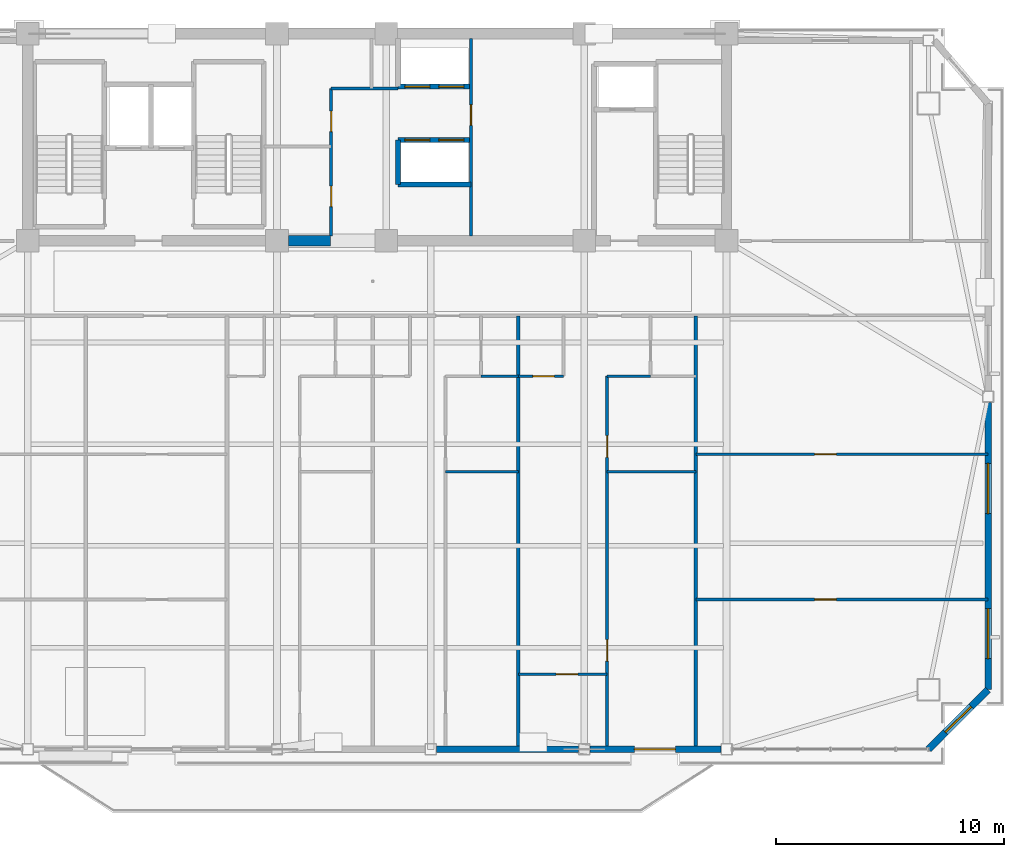
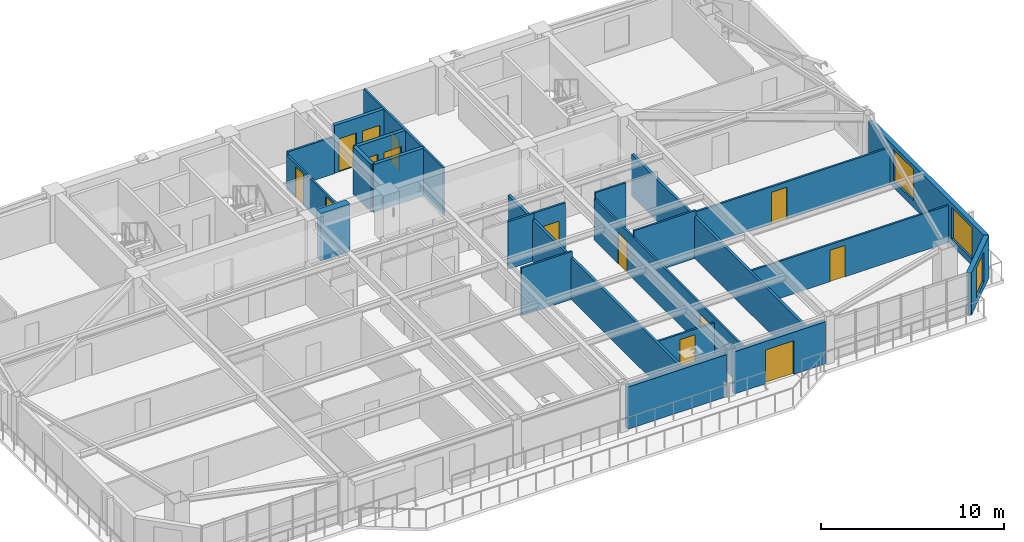
# One storey, part 10 of 17: 23 walls, 14 doors, 3 windows, 17 openings.
"""IFC4 building model written with IfcOpenShell, lengths in metres."""

from ifc_helpers import new_model, si_unit, direction, frame, frame_2d, origin, place, context, subcontext, project, spatial, rectangle, extrude, source, transform, mapped, material, layer, layer_set, type_object, element, fill, save


model = new_model("IFC4")

# Units and contexts
model_context = context("Model", 3, precision=1e-05, world=origin(), true_north=direction((0.0, 1.0)))
body_context = subcontext(model_context, "Body", "Model", "MODEL_VIEW")
ifc_project = project(units=[si_unit("LENGTHUNIT", "METRE"), si_unit("AREAUNIT", "SQUARE_METRE"), si_unit("VOLUMEUNIT", "CUBIC_METRE"), si_unit("PLANEANGLEUNIT", "RADIAN"), si_unit("MASSUNIT", "GRAM", prefix="KILO")], contexts=[model_context])

# Site, building, storey
site_placement = place(None, origin())
site = spatial("IfcSite", under=ifc_project, at=site_placement, CompositionType="ELEMENT")
building_placement = place(site_placement, origin())
building = spatial("IfcBuilding", under=site, at=building_placement, Name="Giltprow Tower", CompositionType="ELEMENT")
storey_placement = place(building_placement, frame((0.0, 0.0, 248.5)))
storey = spatial("IfcBuildingStorey", under=building, at=storey_placement, Name="L63", CompositionType="ELEMENT", Elevation=248.5)

# Wall, opening, window
ifc_material_1 = material(Name="Precast concrete C40", Category="concrete")
ifc_layer_1 = layer(ifc_material_1, 0.300048828125, Name="Precast concrete C40")
ifc_layer_set_1 = layer_set([ifc_layer_1], Name="Precast concrete C40")
wall_type_1 = type_object("IfcWallType", Name="EW-NOTCH-CHAMFER-300", PredefinedType="SOLIDWALL", material=ifc_layer_set_1)
wall_1_placement = place(storey_placement, frame((59.422119140625, 15.113037109375, 0.0), z_axis=(0.0, 0.0, 1.0), x_axis=(0.707106781187, 0.707106781187, 0.0)))
wall_1 = element("IfcWall", 1, at=wall_1_placement, inside=storey, type_object=wall_type_1, Name="L63 Corner Notch Wall SE", PredefinedType="SOLIDWALL", context=body_context, shape_type="SweptSolid", body=[
    extrude(rectangle(XDim=3.6982421875, YDim=0.300048828125, at=frame_2d((1.84912109375, 0.0))), origin(), (0.0, 0.0, 1.0), 2.81494140625),
])
opening_1_placement = place(wall_1_placement, frame((1.049072265625, 0.0, 0.449951171875)))
opening_1 = element("IfcOpeningElement", 2, at=opening_1_placement, cuts=wall_1, Name="Opening WN17", PredefinedType="OPENING", context=body_context, shape_type="SweptSolid", body=[
    extrude(rectangle(XDim=1.60009765625, YDim=2.0, at=frame_2d((0.800048828125, 1.0))), frame((0.0, 0.159912109375, 0.0), z_axis=(0.0, -1.0, 0.0), x_axis=(1.0, 0.0, 0.0)), (0.0, 0.0, 1.0), 0.320068359375),
])
ifc_material_2 = material(Name="Insulated glass", Category="glass")
window_type_1 = type_object("IfcWindowType", Name="WN-COR-1600x2000", PartitioningType="SINGLE_PANEL", PredefinedType="WINDOW", material=ifc_material_2)
shared_shape_1 = source(origin(), body_context, "Body", "SweptSolid", [
    extrude(rectangle(XDim=1.60009765625, YDim=2.0, at=frame_2d((0.800048828125, 1.0))), frame((0.0, 0.030029296875, 0.0), z_axis=(0.0, -1.0, 0.0), x_axis=(1.0, 0.0, 0.0)), (0.0, 0.0, 1.0), 0.06005859375),
])
window_1_placement = place(opening_1_placement, origin())
window_1 = element("IfcWindow", 3, at=window_1_placement, inside=storey, type_object=window_type_1, Name="L63 Corner Notch Window SE", OverallHeight=2.0, OverallWidth=1.60009765625, PartitioningType="SINGLE_PANEL", PredefinedType="WINDOW", context=body_context, shape_type="MappedRepresentation", body=[
    mapped(shared_shape_1, transform((0.0, 0.0, 0.0), x_axis=(1.0, 0.0, 0.0), y_axis=(0.0, 1.0, 0.0), z_axis=(0.0, 0.0, 1.0), scale=1.0)),
])
fill(opening_1, window_1)

# Wall
ifc_layer_2 = layer(ifc_material_1, 0.280029296875, Name="Precast concrete C40")
ifc_layer_set_2 = layer_set([ifc_layer_2], Name="Precast concrete C40")
wall_type_2 = type_object("IfcWallType", Name="EW-TOW-BRONZE-280", PredefinedType="SOLIDWALL", material=ifc_layer_set_2)
wall_2_placement = place(storey_placement, frame((37.800048828125, 15.113037109375, 0.0), z_axis=(0.0, 0.0, 1.0), x_axis=(1.0, 0.0, 0.0)))
element("IfcWall", 4, at=wall_2_placement, inside=storey, type_object=wall_type_2, Name="L63 South Expressed Frame Wall 4", PredefinedType="SOLIDWALL", context=body_context, shape_type="SweptSolid", body=[
    extrude(rectangle(XDim=6.25, YDim=0.280029296875, at=frame_2d((3.125, 0.0))), origin(), (0.0, 0.0, 1.0), 2.81494140625),
])

# Wall, opening, door
wall_3_placement = place(storey_placement, frame((44.550048828125, 15.113037109375, 0.0), z_axis=(0.0, 0.0, 1.0), x_axis=(1.0, 0.0, 0.0)))
wall_3 = element("IfcWall", 5, at=wall_3_placement, inside=storey, type_object=wall_type_2, Name="L63 South Expressed Frame Wall 5", PredefinedType="SOLIDWALL", context=body_context, shape_type="SweptSolid", body=[
    extrude(rectangle(XDim=5.75, YDim=0.280029296875, at=frame_2d((2.875, 0.0))), origin(), (0.0, 0.0, 1.0), 2.81494140625),
])
opening_2_placement = place(wall_3_placement, frame((1.949951171875, 0.0, 0.0)))
opening_2 = element("IfcOpeningElement", 6, at=opening_2_placement, cuts=wall_3, Name="Opening ED25", PredefinedType="OPENING", context=body_context, shape_type="SweptSolid", body=[
    extrude(rectangle(XDim=1.800048828125, YDim=2.25, at=frame_2d((0.89990234375, 1.125))), frame((0.0, 0.14990234375, 0.0), z_axis=(0.0, -1.0, 0.0), x_axis=(1.0, 0.0, 0.0)), (0.0, 0.0, 1.0), 0.300048828125),
])
ifc_material_3 = material(Name="Anodized bronze and glass", Category="glass")
door_type_1 = type_object("IfcDoorType", Name="DR-BALC-SLIDE-1800", OperationType="SLIDING_TO_LEFT", PredefinedType="DOOR", material=ifc_material_3)
shared_shape_2 = source(origin(), body_context, "Body", "SweptSolid", [
    extrude(rectangle(XDim=1.800048828125, YDim=2.25, at=frame_2d((0.89990234375, 1.125))), frame((0.0, 0.02490234375, 0.0), z_axis=(0.0, -1.0, 0.0), x_axis=(1.0, 0.0, 0.0)), (0.0, 0.0, 1.0), 0.050048828125),
])
door_1_placement = place(opening_2_placement, origin())
door_1 = element("IfcDoor", 7, at=door_1_placement, inside=storey, type_object=door_type_1, Name="L63 Waterfront Balcony Sliding Door 2", OperationType="SLIDING_TO_LEFT", OverallHeight=2.25, OverallWidth=1.800048828125, PredefinedType="DOOR", context=body_context, shape_type="MappedRepresentation", body=[
    mapped(shared_shape_2, transform((0.0, 0.0, 0.0), x_axis=(1.0, 0.0, 0.0), y_axis=(0.0, 1.0, 0.0), z_axis=(0.0, 0.0, 1.0), scale=1.0)),
])
fill(opening_2, door_1)

# Wall, openings, windows
wall_4_placement = place(storey_placement, frame((62.037109375, 17.72802734375, 0.0), z_axis=(0.0, 0.0, 1.0), x_axis=(0.0, 1.0, 0.0)))
wall_4 = element("IfcWall", 8, at=wall_4_placement, inside=storey, type_object=wall_type_2, Name="L63 E Wing Masonry Wall 1", PredefinedType="SOLIDWALL", context=body_context, shape_type="SweptSolid", body=[
    extrude(rectangle(XDim=12.62890625, YDim=0.280029296875, at=frame_2d((6.314453125, 0.0))), origin(), (0.0, 0.0, 1.0), 2.81494140625),
])
opening_3_placement = place(wall_4_placement, frame((1.362060546875, 0.0, 0.449951171875)))
opening_3 = element("IfcOpeningElement", 9, at=opening_3_placement, cuts=wall_4, Name="Opening WN27", PredefinedType="OPENING", context=body_context, shape_type="SweptSolid", body=[
    extrude(rectangle(XDim=2.199951171875, YDim=2.10009765625, at=frame_2d((1.10009765625, 1.050048828125))), frame((0.0, 0.14990234375, 0.0), z_axis=(0.0, -1.0, 0.0), x_axis=(1.0, 0.0, 0.0)), (0.0, 0.0, 1.0), 0.300048828125),
])
opening_4_placement = place(wall_4_placement, frame((7.739990234375, 0.0, 0.449951171875)))
opening_4 = element("IfcOpeningElement", 10, at=opening_4_placement, cuts=wall_4, Name="Opening WN27", PredefinedType="OPENING", context=body_context, shape_type="SweptSolid", body=[
    extrude(rectangle(XDim=2.199951171875, YDim=2.10009765625, at=frame_2d((1.10009765625, 1.050048828125))), frame((0.0, 0.14990234375, 0.0), z_axis=(0.0, -1.0, 0.0), x_axis=(1.0, 0.0, 0.0)), (0.0, 0.0, 1.0), 0.300048828125),
])
window_type_2 = type_object("IfcWindowType", Name="WN-RES-2200x2100", PartitioningType="TRIPLE_PANEL_VERTICAL", PredefinedType="WINDOW", material=ifc_material_2)
shared_shape_3 = source(origin(), body_context, "Body", "SweptSolid", [
    extrude(rectangle(XDim=2.199951171875, YDim=2.10009765625, at=frame_2d((1.10009765625, 1.050048828125))), frame((0.0, 0.030029296875, 0.0), z_axis=(0.0, -1.0, 0.0), x_axis=(1.0, 0.0, 0.0)), (0.0, 0.0, 1.0), 0.06005859375),
])
window_2_placement = place(opening_3_placement, origin())
window_2 = element("IfcWindow", 11, at=window_2_placement, inside=storey, type_object=window_type_2, Name="L63 E Wing Window 1-1A", OverallHeight=2.10009765625, OverallWidth=2.199951171875, PartitioningType="SINGLE_PANEL", PredefinedType="WINDOW", context=body_context, shape_type="MappedRepresentation", body=[
    mapped(shared_shape_3, transform((0.0, 0.0, 0.0), x_axis=(1.0, 0.0, 0.0), y_axis=(0.0, 1.0, 0.0), z_axis=(0.0, 0.0, 1.0), scale=1.0)),
])
fill(opening_3, window_2)
window_3_placement = place(opening_4_placement, origin())
window_3 = element("IfcWindow", 12, at=window_3_placement, inside=storey, type_object=window_type_2, Name="L63 E Wing Window 1-1B", OverallHeight=2.10009765625, OverallWidth=2.199951171875, PartitioningType="SINGLE_PANEL", PredefinedType="WINDOW", context=body_context, shape_type="MappedRepresentation", body=[
    mapped(shared_shape_3, transform((0.0, 0.0, 0.0), x_axis=(1.0, 0.0, 0.0), y_axis=(0.0, 1.0, 0.0), z_axis=(0.0, 0.0, 1.0), scale=1.0)),
])
fill(opening_4, window_3)

# Walls
ifc_material_4 = material(Name="Gypsum stud partition", Category="gypsum")
ifc_layer_3 = layer(ifc_material_4, 0.159912109375, Name="Gypsum stud partition")
ifc_layer_set_3 = layer_set([ifc_layer_3], Name="Gypsum stud partition")
wall_type_3 = type_object("IfcWallType", Name="IW-DEMISE-160", PredefinedType="PARTITIONING", material=ifc_layer_set_3)
for number, where, z_axis, x_axis, name in (
    (13, (41.39990234375, 15.113037109375, 0.0), (0.0, 0.0, 1.0), (0.0, 1.0, 0.0), "L63 Apartment Party Wall 4"),
    (14, (49.199951171875, 15.113037109375, 0.0), (0.0, 0.0, 1.0), (0.0, 1.0, 0.0), "L63 Apartment Party Wall 5"),
):
    element("IfcWall", number, at=place(storey_placement, frame(where, z_axis=z_axis, x_axis=x_axis)), inside=storey, type_object=wall_type_3, Name=name, PredefinedType="PARTITIONING", context=body_context, shape_type="SweptSolid", body=[
        extrude(rectangle(XDim=19.036865234375, YDim=0.159912109375, at=frame_2d((9.5185546875, 0.0))), origin(), (0.0, 0.0, 1.0), 2.77001953125),
    ])
ifc_layer_4 = layer(ifc_material_4, 0.1201171875, Name="Gypsum stud partition")
ifc_layer_set_4 = layer_set([ifc_layer_4], Name="Gypsum stud partition")
wall_type_4 = type_object("IfcWallType", Name="IW-ROOM-120", PredefinedType="PARTITIONING", material=ifc_layer_set_4)
wall_5_placement = place(storey_placement, frame((38.199951171875, 27.300048828125, 0.0), z_axis=(0.0, 0.0, 1.0), x_axis=(1.0, 0.0, 0.0)))
element("IfcWall", 15, at=wall_5_placement, inside=storey, type_object=wall_type_4, Name="L63 Unit 2 Second Bedroom Wall", PredefinedType="PARTITIONING", context=body_context, shape_type="SweptSolid", body=[
    extrude(rectangle(XDim=3.199951171875, YDim=0.1201171875, at=frame_2d((1.60009765625, 0.0))), origin(), (0.0, 0.0, 1.0), 3.18505859375),
])
wall_6_placement = place(storey_placement, frame((45.300048828125, 31.5, 0.0), z_axis=(0.0, 0.0, 1.0), x_axis=(1.0, 0.0, 0.0)))
element("IfcWall", 16, at=wall_6_placement, inside=storey, type_object=wall_type_4, Name="L63 Unit 3 Bedroom North Wall", PredefinedType="PARTITIONING", context=body_context, shape_type="SweptSolid", body=[
    extrude(rectangle(XDim=1.909912109375, YDim=0.1201171875, at=frame_2d((0.955078125, 0.0))), origin(), (0.0, 0.0, 1.0), 3.18505859375),
])

# Wall, openings, doors
wall_7_placement = place(storey_placement, frame((45.300048828125, 15.113037109375, 0.0), z_axis=(0.0, 0.0, 1.0), x_axis=(0.0, 1.0, 0.0)))
wall_7 = element("IfcWall", 17, at=wall_7_placement, inside=storey, type_object=wall_type_4, Name="L63 Unit 3 Bedroom Wall", PredefinedType="PARTITIONING", context=body_context, shape_type="SweptSolid", body=[
    extrude(rectangle(XDim=16.386962890625, YDim=0.1201171875, at=frame_2d((8.193359375, 0.0))), origin(), (0.0, 0.0, 1.0), 2.77001953125),
])
opening_5_placement = place(wall_7_placement, frame((3.8701171875, 0.0, 0.0)))
opening_5 = element("IfcOpeningElement", 18, at=opening_5_placement, cuts=wall_7, Name="Opening ID11", PredefinedType="OPENING", context=body_context, shape_type="SweptSolid", body=[
    extrude(rectangle(XDim=0.949951171875, YDim=2.10009765625, at=frame_2d((0.47509765625, 1.050048828125))), frame((0.0, 0.070068359375, 0.0), z_axis=(0.0, -1.0, 0.0), x_axis=(1.0, 0.0, 0.0)), (0.0, 0.0, 1.0), 0.14013671875),
])
opening_6_placement = place(wall_7_placement, frame((12.826904296875, 0.0, 0.0)))
opening_6 = element("IfcOpeningElement", 19, at=opening_6_placement, cuts=wall_7, Name="Opening ID11", PredefinedType="OPENING", context=body_context, shape_type="SweptSolid", body=[
    extrude(rectangle(XDim=0.949951171875, YDim=2.10009765625, at=frame_2d((0.47509765625, 1.050048828125))), frame((0.0, 0.070068359375, 0.0), z_axis=(0.0, -1.0, 0.0), x_axis=(1.0, 0.0, 0.0)), (0.0, 0.0, 1.0), 0.14013671875),
])
ifc_material_5 = material(Name="Engineered timber", Category="wood")
door_type_2 = type_object("IfcDoorType", Name="DR-ROOM-950", OperationType="SINGLE_SWING_RIGHT", PredefinedType="DOOR", material=ifc_material_5)
shared_shape_4 = source(origin(), body_context, "Body", "SweptSolid", [
    extrude(rectangle(XDim=0.949951171875, YDim=2.10009765625, at=frame_2d((0.47509765625, 1.050048828125))), frame((0.0, 0.02490234375, 0.0), z_axis=(0.0, -1.0, 0.0), x_axis=(1.0, 0.0, 0.0)), (0.0, 0.0, 1.0), 0.050048828125),
])
door_2_placement = place(opening_5_placement, origin())
door_2 = element("IfcDoor", 20, at=door_2_placement, inside=storey, type_object=door_type_2, Name="L63 Unit 3 Primary Bedroom Door", OperationType="SINGLE_SWING_LEFT", OverallHeight=2.10009765625, OverallWidth=0.949951171875, PredefinedType="DOOR", context=body_context, shape_type="MappedRepresentation", body=[
    mapped(shared_shape_4, transform((0.0, 0.0, 0.0), x_axis=(1.0, 0.0, 0.0), y_axis=(0.0, 1.0, 0.0), z_axis=(0.0, 0.0, 1.0), scale=1.0)),
])
fill(opening_5, door_2)
door_3_placement = place(opening_6_placement, origin())
door_3 = element("IfcDoor", 21, at=door_3_placement, inside=storey, type_object=door_type_2, Name="L63 Unit 3 Second Bedroom Door", OperationType="SINGLE_SWING_RIGHT", OverallHeight=2.10009765625, OverallWidth=0.949951171875, PredefinedType="DOOR", context=body_context, shape_type="MappedRepresentation", body=[
    mapped(shared_shape_4, transform((0.0, 0.0, 0.0), x_axis=(1.0, 0.0, 0.0), y_axis=(0.0, 1.0, 0.0), z_axis=(0.0, 0.0, 1.0), scale=1.0)),
])
fill(opening_6, door_3)

# Wall, opening, door
wall_8_placement = place(storey_placement, frame((41.39990234375, 18.4130859375, 0.0), z_axis=(0.0, 0.0, 1.0), x_axis=(1.0, 0.0, 0.0)))
wall_8 = element("IfcWall", 22, at=wall_8_placement, inside=storey, type_object=wall_type_4, Name="L63 Unit 3 Salon Divider", PredefinedType="PARTITIONING", context=body_context, shape_type="SweptSolid", body=[
    extrude(rectangle(XDim=3.900146484375, YDim=0.1201171875, at=frame_2d((1.9501953125, 0.0))), origin(), (0.0, 0.0, 1.0), 2.469970703125),
])
opening_7_placement = place(wall_8_placement, frame((1.6650390625, 0.0, 0.0)))
opening_7 = element("IfcOpeningElement", 23, at=opening_7_placement, cuts=wall_8, Name="Opening ID11", PredefinedType="OPENING", context=body_context, shape_type="SweptSolid", body=[
    extrude(rectangle(XDim=0.949951171875, YDim=2.10009765625, at=frame_2d((0.47509765625, 1.050048828125))), frame((0.0, 0.070068359375, 0.0), z_axis=(0.0, -1.0, 0.0), x_axis=(1.0, 0.0, 0.0)), (0.0, 0.0, 1.0), 0.14013671875),
])
door_4_placement = place(opening_7_placement, origin())
door_4 = element("IfcDoor", 24, at=door_4_placement, inside=storey, type_object=door_type_2, Name="L63 Unit 3 Study Door", OperationType="SINGLE_SWING_RIGHT", OverallHeight=2.10009765625, OverallWidth=0.949951171875, PredefinedType="DOOR", context=body_context, shape_type="MappedRepresentation", body=[
    mapped(shared_shape_4, transform((0.0, 0.0, 0.0), x_axis=(1.0, 0.0, 0.0), y_axis=(0.0, 1.0, 0.0), z_axis=(0.0, 0.0, 1.0), scale=1.0)),
])
fill(opening_7, door_4)

# Wall
wall_9_placement = place(storey_placement, frame((45.300048828125, 27.300048828125, 0.0), z_axis=(0.0, 0.0, 1.0), x_axis=(1.0, 0.0, 0.0)))
element("IfcWall", 25, at=wall_9_placement, inside=storey, type_object=wall_type_4, Name="L63 Unit 3 Second Bedroom Wall", PredefinedType="PARTITIONING", context=body_context, shape_type="SweptSolid", body=[
    extrude(rectangle(XDim=3.89990234375, YDim=0.1201171875, at=frame_2d((1.949951171875, 0.0))), origin(), (0.0, 0.0, 1.0), 3.18505859375),
])

# Wall, opening, door
wall_10_placement = place(storey_placement, frame((49.199951171875, 21.68994140625, 0.0), z_axis=(0.0, 0.0, 1.0), x_axis=(1.0, 0.0, 0.0)))
wall_10 = element("IfcWall", 26, at=wall_10_placement, inside=storey, type_object=wall_type_4, Name="L63 Special Split 1", PredefinedType="PARTITIONING", context=body_context, shape_type="SweptSolid", body=[
    extrude(rectangle(XDim=12.837158203125, YDim=0.1201171875, at=frame_2d((6.41845703125, 0.0))), origin(), (0.0, 0.0, 1.0), 2.469970703125),
])
opening_8_placement = place(wall_10_placement, frame((5.220947265625, 0.0, 0.0)))
opening_8 = element("IfcOpeningElement", 27, at=opening_8_placement, cuts=wall_10, Name="Opening ID11", PredefinedType="OPENING", context=body_context, shape_type="SweptSolid", body=[
    extrude(rectangle(XDim=0.949951171875, YDim=2.10009765625, at=frame_2d((0.47509765625, 1.050048828125))), frame((0.0, 0.070068359375, 0.0), z_axis=(0.0, -1.0, 0.0), x_axis=(1.0, 0.0, 0.0)), (0.0, 0.0, 1.0), 0.14013671875),
])
door_5_placement = place(opening_8_placement, origin())
door_5 = element("IfcDoor", 28, at=door_5_placement, inside=storey, type_object=door_type_2, Name="L63 Portfolio Office 3 South Door", OperationType="SINGLE_SWING_LEFT", OverallHeight=2.10009765625, OverallWidth=0.949951171875, PredefinedType="DOOR", context=body_context, shape_type="MappedRepresentation", body=[
    mapped(shared_shape_4, transform((0.0, 0.0, 0.0), x_axis=(1.0, 0.0, 0.0), y_axis=(0.0, 1.0, 0.0), z_axis=(0.0, 0.0, 1.0), scale=1.0)),
])
fill(opening_8, door_5)

wall_11_placement = place(storey_placement, frame((49.199951171875, 28.068115234375, 0.0), z_axis=(0.0, 0.0, 1.0), x_axis=(1.0, 0.0, 0.0)))
wall_11 = element("IfcWall", 29, at=wall_11_placement, inside=storey, type_object=wall_type_4, Name="L63 Special Split 2", PredefinedType="PARTITIONING", context=body_context, shape_type="SweptSolid", body=[
    extrude(rectangle(XDim=12.837158203125, YDim=0.1201171875, at=frame_2d((6.41845703125, 0.0))), origin(), (0.0, 0.0, 1.0), 2.469970703125),
])
opening_9_placement = place(wall_11_placement, frame((5.220947265625, 0.0, 0.0)))
opening_9 = element("IfcOpeningElement", 30, at=opening_9_placement, cuts=wall_11, Name="Opening ID11", PredefinedType="OPENING", context=body_context, shape_type="SweptSolid", body=[
    extrude(rectangle(XDim=0.949951171875, YDim=2.10009765625, at=frame_2d((0.47509765625, 1.050048828125))), frame((0.0, 0.070068359375, 0.0), z_axis=(0.0, -1.0, 0.0), x_axis=(1.0, 0.0, 0.0)), (0.0, 0.0, 1.0), 0.14013671875),
])
door_6_placement = place(opening_9_placement, origin())
door_6 = element("IfcDoor", 31, at=door_6_placement, inside=storey, type_object=door_type_2, Name="L63 Portfolio Office 3 Mid Door", OperationType="SINGLE_SWING_RIGHT", OverallHeight=2.10009765625, OverallWidth=0.949951171875, PredefinedType="DOOR", context=body_context, shape_type="MappedRepresentation", body=[
    mapped(shared_shape_4, transform((0.0, 0.0, 0.0), x_axis=(1.0, 0.0, 0.0), y_axis=(0.0, 1.0, 0.0), z_axis=(0.0, 0.0, 1.0), scale=1.0)),
])
fill(opening_9, door_6)

# Wall, openings, doors
ifc_material_6 = material(Name="Concrete C40", Category="concrete")
ifc_layer_5 = layer(ifc_material_6, 0.219970703125, Name="Concrete C40")
ifc_layer_set_5 = layer_set([ifc_layer_5], Name="Concrete C40")
wall_type_5 = type_object("IfcWallType", Name="IW-SHAFT-220", PredefinedType="SOLIDWALL", material=ifc_layer_set_5)
wall_12_placement = place(storey_placement, frame((36.1201171875, 44.219970703125, 0.0), z_axis=(0.0, 0.0, 1.0), x_axis=(1.0, 0.0, 0.0)))
wall_12 = element("IfcWall", 32, at=wall_12_placement, inside=storey, type_object=wall_type_5, Name="L63 High-Rise Lift Shaft Front Wall N", PredefinedType="SOLIDWALL", context=body_context, shape_type="SweptSolid", body=[
    extrude(rectangle(XDim=3.199951171875, YDim=0.219970703125, at=frame_2d((1.60009765625, 0.0))), origin(), (0.0, 0.0, 1.0), 3.18505859375),
])
opening_10_placement = place(wall_12_placement, frame((0.300048828125, 0.0, 0.0)))
opening_10 = element("IfcOpeningElement", 33, at=opening_10_placement, cuts=wall_12, Name="Opening LD-11", PredefinedType="OPENING", context=body_context, shape_type="SweptSolid", body=[
    extrude(rectangle(XDim=1.10009765625, YDim=2.199951171875, at=frame_2d((0.550048828125, 1.10009765625))), frame((0.0, 0.119873046875, 0.0), z_axis=(0.0, -1.0, 0.0), x_axis=(1.0, 0.0, 0.0)), (0.0, 0.0, 1.0), 0.239990234375),
])
opening_11_placement = place(wall_12_placement, frame((1.7900390625, 0.0, 0.0)))
opening_11 = element("IfcOpeningElement", 34, at=opening_11_placement, cuts=wall_12, Name="Opening LD-11", PredefinedType="OPENING", context=body_context, shape_type="SweptSolid", body=[
    extrude(rectangle(XDim=1.10009765625, YDim=2.199951171875, at=frame_2d((0.550048828125, 1.10009765625))), frame((0.0, 0.119873046875, 0.0), z_axis=(0.0, -1.0, 0.0), x_axis=(1.0, 0.0, 0.0)), (0.0, 0.0, 1.0), 0.239990234375),
])
ifc_material_7 = material(Name="Stainless steel", Category="steel")
door_type_3 = type_object("IfcDoorType", Name="DR-LIFT-LD1100", OperationType="SLIDING_TO_LEFT", PredefinedType="DOOR", material=ifc_material_7)
shared_shape_5 = source(origin(), body_context, "Body", "SweptSolid", [
    extrude(rectangle(XDim=1.10009765625, YDim=2.199951171875, at=frame_2d((0.550048828125, 1.10009765625))), frame((0.0, 0.02490234375, 0.0), z_axis=(0.0, -1.0, 0.0), x_axis=(1.0, 0.0, 0.0)), (0.0, 0.0, 1.0), 0.050048828125),
])
door_7_placement = place(opening_10_placement, origin())
door_7 = element("IfcDoor", 35, at=door_7_placement, inside=storey, type_object=door_type_3, Name="L63 PL-H1 Landing Door", OperationType="SLIDING_TO_LEFT", OverallHeight=2.199951171875, OverallWidth=1.10009765625, PredefinedType="DOOR", context=body_context, shape_type="MappedRepresentation", body=[
    mapped(shared_shape_5, transform((0.0, 0.0, 0.0), x_axis=(1.0, 0.0, 0.0), y_axis=(0.0, 1.0, 0.0), z_axis=(0.0, 0.0, 1.0), scale=1.0)),
])
fill(opening_10, door_7)
door_8_placement = place(opening_11_placement, origin())
door_8 = element("IfcDoor", 36, at=door_8_placement, inside=storey, type_object=door_type_3, Name="L63 PL-H2 Landing Door", OperationType="SLIDING_TO_LEFT", OverallHeight=2.199951171875, OverallWidth=1.10009765625, PredefinedType="DOOR", context=body_context, shape_type="MappedRepresentation", body=[
    mapped(shared_shape_5, transform((0.0, 0.0, 0.0), x_axis=(1.0, 0.0, 0.0), y_axis=(0.0, 1.0, 0.0), z_axis=(0.0, 0.0, 1.0), scale=1.0)),
])
fill(opening_11, door_8)

wall_13_placement = place(storey_placement, frame((36.1201171875, 41.8798828125, 0.0), z_axis=(0.0, 0.0, 1.0), x_axis=(1.0, 0.0, 0.0)))
wall_13 = element("IfcWall", 37, at=wall_13_placement, inside=storey, type_object=wall_type_5, Name="L63 High-Rise Lift Shaft Front Wall S", PredefinedType="SOLIDWALL", context=body_context, shape_type="SweptSolid", body=[
    extrude(rectangle(XDim=3.199951171875, YDim=0.219970703125, at=frame_2d((1.60009765625, 0.0))), origin(), (0.0, 0.0, 1.0), 3.18505859375),
])
opening_12_placement = place(wall_13_placement, frame((0.300048828125, 0.0, 0.0)))
opening_12 = element("IfcOpeningElement", 38, at=opening_12_placement, cuts=wall_13, Name="Opening LD-11", PredefinedType="OPENING", context=body_context, shape_type="SweptSolid", body=[
    extrude(rectangle(XDim=1.10009765625, YDim=2.199951171875, at=frame_2d((0.550048828125, 1.10009765625))), frame((0.0, 0.119873046875, 0.0), z_axis=(0.0, -1.0, 0.0), x_axis=(1.0, 0.0, 0.0)), (0.0, 0.0, 1.0), 0.239990234375),
])
opening_13_placement = place(wall_13_placement, frame((1.7900390625, 0.0, 0.0)))
opening_13 = element("IfcOpeningElement", 39, at=opening_13_placement, cuts=wall_13, Name="Opening LD-11", PredefinedType="OPENING", context=body_context, shape_type="SweptSolid", body=[
    extrude(rectangle(XDim=1.10009765625, YDim=2.199951171875, at=frame_2d((0.550048828125, 1.10009765625))), frame((0.0, 0.119873046875, 0.0), z_axis=(0.0, -1.0, 0.0), x_axis=(1.0, 0.0, 0.0)), (0.0, 0.0, 1.0), 0.239990234375),
])
door_9_placement = place(opening_12_placement, origin())
door_9 = element("IfcDoor", 40, at=door_9_placement, inside=storey, type_object=door_type_3, Name="L63 PL-H3 Landing Door", OperationType="SLIDING_TO_LEFT", OverallHeight=2.199951171875, OverallWidth=1.10009765625, PredefinedType="DOOR", context=body_context, shape_type="MappedRepresentation", body=[
    mapped(shared_shape_5, transform((0.0, 0.0, 0.0), x_axis=(1.0, 0.0, 0.0), y_axis=(0.0, 1.0, 0.0), z_axis=(0.0, 0.0, 1.0), scale=1.0)),
])
fill(opening_12, door_9)
door_10_placement = place(opening_13_placement, origin())
door_10 = element("IfcDoor", 41, at=door_10_placement, inside=storey, type_object=door_type_3, Name="L63 PL-H4 Landing Door", OperationType="SLIDING_TO_LEFT", OverallHeight=2.199951171875, OverallWidth=1.10009765625, PredefinedType="DOOR", context=body_context, shape_type="MappedRepresentation", body=[
    mapped(shared_shape_5, transform((0.0, 0.0, 0.0), x_axis=(1.0, 0.0, 0.0), y_axis=(0.0, 1.0, 0.0), z_axis=(0.0, 0.0, 1.0), scale=1.0)),
])
fill(opening_13, door_10)

# Walls
wall_14_placement = place(storey_placement, frame((36.1201171875, 39.919921875, 0.0), z_axis=(0.0, 0.0, 1.0), x_axis=(1.0, 0.0, 0.0)))
element("IfcWall", 42, at=wall_14_placement, inside=storey, type_object=wall_type_5, Name="L63 High-Rise South Lift Back Wall", PredefinedType="SOLIDWALL", context=body_context, shape_type="SweptSolid", body=[
    extrude(rectangle(XDim=3.199951171875, YDim=0.219970703125, at=frame_2d((1.60009765625, 0.0))), origin(), (0.0, 0.0, 1.0), 3.18505859375),
])
wall_15_placement = place(storey_placement, frame((36.1201171875, 39.919921875, 0.0), z_axis=(0.0, 0.0, 1.0), x_axis=(0.0, 1.0, 0.0)))
element("IfcWall", 43, at=wall_15_placement, inside=storey, type_object=wall_type_5, Name="L63 High-Rise South Lift West Closure", PredefinedType="SOLIDWALL", context=body_context, shape_type="SweptSolid", body=[
    extrude(rectangle(XDim=1.9599609375, YDim=0.219970703125, at=frame_2d((0.97998046875, 0.0))), origin(), (0.0, 0.0, 1.0), 3.18505859375),
])

# Wall, openings, doors
ifc_material_8 = material(Name="Concrete C30", Category="concrete")
ifc_layer_6 = layer(ifc_material_8, 0.1298828125, Name="Concrete C30")
ifc_layer_set_6 = layer_set([ifc_layer_6], Name="Concrete C30")
wall_type_6 = type_object("IfcWallType", Name="IW-WET-130", PredefinedType="PARTITIONING", material=ifc_layer_set_6)
wall_16_placement = place(storey_placement, frame((33.179931640625, 37.655029296875, 0.0), z_axis=(0.0, 0.0, 1.0), x_axis=(0.0, 1.0, 0.0)))
wall_16 = element("IfcWall", 44, at=wall_16_placement, inside=storey, type_object=wall_type_6, Name="L63 Reclaimed West Core Wall", PredefinedType="PARTITIONING", context=body_context, shape_type="SweptSolid", body=[
    extrude(rectangle(XDim=6.494873046875, YDim=0.1298828125, at=frame_2d((3.24755859375, 0.0))), origin(), (0.0, 0.0, 1.0), 2.27001953125),
])
opening_14_placement = place(wall_16_placement, frame((1.294921875, 0.0, 0.0)))
opening_14 = element("IfcOpeningElement", 45, at=opening_14_placement, cuts=wall_16, Name="Opening ID35", PredefinedType="OPENING", context=body_context, shape_type="SweptSolid", body=[
    extrude(rectangle(XDim=0.89990234375, YDim=2.10009765625, at=frame_2d((0.449951171875, 1.050048828125))), frame((0.0, 0.074951171875, 0.0), z_axis=(0.0, -1.0, 0.0), x_axis=(1.0, 0.0, 0.0)), (0.0, 0.0, 1.0), 0.14990234375),
])
opening_15_placement = place(wall_16_placement, frame((4.594970703125, 0.0, 0.0)))
opening_15 = element("IfcOpeningElement", 46, at=opening_15_placement, cuts=wall_16, Name="Opening ID35", PredefinedType="OPENING", context=body_context, shape_type="SweptSolid", body=[
    extrude(rectangle(XDim=0.89990234375, YDim=2.10009765625, at=frame_2d((0.449951171875, 1.050048828125))), frame((0.0, 0.074951171875, 0.0), z_axis=(0.0, -1.0, 0.0), x_axis=(1.0, 0.0, 0.0)), (0.0, 0.0, 1.0), 0.14990234375),
])
ifc_material_9 = material(Name="Steel fire leaf", Category="steel")
door_type_4 = type_object("IfcDoorType", Name="DR-SHAFT-900", OperationType="SINGLE_SWING_LEFT", PredefinedType="DOOR", material=ifc_material_9)
shared_shape_6 = source(origin(), body_context, "Body", "SweptSolid", [
    extrude(rectangle(XDim=0.89990234375, YDim=2.10009765625, at=frame_2d((0.449951171875, 1.050048828125))), frame((0.0, 0.02490234375, 0.0), z_axis=(0.0, -1.0, 0.0), x_axis=(1.0, 0.0, 0.0)), (0.0, 0.0, 1.0), 0.050048828125),
])
door_11_placement = place(opening_14_placement, origin())
door_11 = element("IfcDoor", 47, at=door_11_placement, inside=storey, type_object=door_type_4, Name="L63 Core Powder Room Door", OperationType="SINGLE_SWING_RIGHT", OverallHeight=2.10009765625, OverallWidth=0.89990234375, PredefinedType="DOOR", context=body_context, shape_type="MappedRepresentation", body=[
    mapped(shared_shape_6, transform((0.0, 0.0, 0.0), x_axis=(1.0, 0.0, 0.0), y_axis=(0.0, 1.0, 0.0), z_axis=(0.0, 0.0, 1.0), scale=1.0)),
])
fill(opening_14, door_11)
door_12_placement = place(opening_15_placement, origin())
door_12 = element("IfcDoor", 48, at=door_12_placement, inside=storey, type_object=door_type_4, Name="L63 Core Valet Pantry Door", OperationType="SINGLE_SWING_LEFT", OverallHeight=2.10009765625, OverallWidth=0.89990234375, PredefinedType="DOOR", context=body_context, shape_type="MappedRepresentation", body=[
    mapped(shared_shape_6, transform((0.0, 0.0, 0.0), x_axis=(1.0, 0.0, 0.0), y_axis=(0.0, 1.0, 0.0), z_axis=(0.0, 0.0, 1.0), scale=1.0)),
])
fill(opening_15, door_12)

# Wall
wall_17_placement = place(storey_placement, frame((33.179931640625, 44.14990234375, 0.0), z_axis=(0.0, 0.0, 1.0), x_axis=(1.0, 0.0, 0.0)))
element("IfcWall", 49, at=wall_17_placement, inside=storey, type_object=wall_type_6, Name="L63 Reclaimed West Pocket Wall S", PredefinedType="PARTITIONING", context=body_context, shape_type="SweptSolid", body=[
    extrude(rectangle(XDim=2.940185546875, YDim=0.1298828125, at=frame_2d((1.47021484375, 0.0))), origin(), (0.0, 0.0, 1.0), 2.469970703125),
])

# Wall, opening, door
wall_18_placement = place(storey_placement, frame((39.320068359375, 37.655029296875, 0.0), z_axis=(0.0, 0.0, 1.0), x_axis=(0.0, 1.0, 0.0)))
wall_18 = element("IfcWall", 50, at=wall_18_placement, inside=storey, type_object=wall_type_6, Name="L63 Reclaimed East Core Wall", PredefinedType="PARTITIONING", context=body_context, shape_type="SweptSolid", body=[
    extrude(rectangle(XDim=8.68994140625, YDim=0.1298828125, at=frame_2d((4.344970703125, 0.0))), origin(), (0.0, 0.0, 1.0), 3.18505859375),
])
opening_16_placement = place(wall_18_placement, frame((4.864990234375, 0.0, 0.0)))
opening_16 = element("IfcOpeningElement", 51, at=opening_16_placement, cuts=wall_18, Name="Opening ID35", PredefinedType="OPENING", context=body_context, shape_type="SweptSolid", body=[
    extrude(rectangle(XDim=0.89990234375, YDim=2.10009765625, at=frame_2d((0.449951171875, 1.050048828125))), frame((0.0, 0.074951171875, 0.0), z_axis=(0.0, -1.0, 0.0), x_axis=(1.0, 0.0, 0.0)), (0.0, 0.0, 1.0), 0.14990234375),
])
door_13_placement = place(opening_16_placement, origin())
door_13 = element("IfcDoor", 52, at=door_13_placement, inside=storey, type_object=door_type_4, Name="L63 Core Cold Delivery Store Door", OperationType="SINGLE_SWING_RIGHT", OverallHeight=2.10009765625, OverallWidth=0.89990234375, PredefinedType="DOOR", context=body_context, shape_type="MappedRepresentation", body=[
    mapped(shared_shape_6, transform((0.0, 0.0, 0.0), x_axis=(1.0, 0.0, 0.0), y_axis=(0.0, 1.0, 0.0), z_axis=(0.0, 0.0, 1.0), scale=1.0)),
])
fill(opening_16, door_13)

# Wall
wall_19_placement = place(storey_placement, frame((39.760009765625, 31.5, 0.0), z_axis=(0.0, 0.0, 1.0), x_axis=(1.0, 0.0, 0.0)))
element("IfcWall", 53, at=wall_19_placement, inside=storey, type_object=wall_type_6, Name="L63 Unit 2 Bathroom South Wall", PredefinedType="PARTITIONING", context=body_context, shape_type="SweptSolid", body=[
    extrude(rectangle(XDim=1.639892578125, YDim=0.1298828125, at=frame_2d((0.81982421875, 0.0))), origin(), (0.0, 0.0, 1.0), 3.18505859375),
])

# Wall, opening, door
wall_20_placement = place(storey_placement, frame((41.39990234375, 31.5, 0.0), z_axis=(0.0, 0.0, 1.0), x_axis=(1.0, 0.0, 0.0)))
wall_20 = element("IfcWall", 54, at=wall_20_placement, inside=storey, type_object=wall_type_6, Name="L63 Unit 3 Kitchen South Wall", PredefinedType="PARTITIONING", context=body_context, shape_type="SweptSolid", body=[
    extrude(rectangle(XDim=1.989990234375, YDim=0.1298828125, at=frame_2d((0.9951171875, 0.0))), origin(), (0.0, 0.0, 1.0), 3.18505859375),
])
opening_17_placement = place(wall_20_placement, frame((0.639892578125, 0.0, 0.0)))
opening_17 = element("IfcOpeningElement", 55, at=opening_17_placement, cuts=wall_20, Name="Opening ID11", PredefinedType="OPENING", context=body_context, shape_type="SweptSolid", body=[
    extrude(rectangle(XDim=0.949951171875, YDim=2.10009765625, at=frame_2d((0.47509765625, 1.050048828125))), frame((0.0, 0.074951171875, 0.0), z_axis=(0.0, -1.0, 0.0), x_axis=(1.0, 0.0, 0.0)), (0.0, 0.0, 1.0), 0.14990234375),
])
door_14_placement = place(opening_17_placement, origin())
door_14 = element("IfcDoor", 56, at=door_14_placement, inside=storey, type_object=door_type_2, Name="L63 Unit 3 Kitchen Door", OperationType="SINGLE_SWING_RIGHT", OverallHeight=2.10009765625, OverallWidth=0.949951171875, PredefinedType="DOOR", context=body_context, shape_type="MappedRepresentation", body=[
    mapped(shared_shape_4, transform((0.0, 0.0, 0.0), x_axis=(1.0, 0.0, 0.0), y_axis=(0.0, 1.0, 0.0), z_axis=(0.0, 0.0, 1.0), scale=1.0)),
])
fill(opening_17, door_14)

# Wall
ifc_material_10 = material(Name="Concrete C50", Category="concrete")
ifc_layer_7 = layer(ifc_material_10, 0.449951171875, Name="Concrete C50")
ifc_layer_set_7 = layer_set([ifc_layer_7], Name="Concrete C50")
wall_type_7 = type_object("IfcWallType", Name="SW-INT-450-C50", PredefinedType="SHEAR", material=ifc_layer_set_7)
wall_21_placement = place(storey_placement, frame((31.300048828125, 37.449951171875, 0.0), z_axis=(0.0, 0.0, 1.0), x_axis=(1.0, 0.0, 0.0)))
element("IfcWall", 57, at=wall_21_placement, inside=storey, type_object=wall_type_7, Name="L63 South Rear Core Shear Wall Mid-West", PredefinedType="SHEAR", context=body_context, shape_type="SweptSolid", body=[
    extrude(rectangle(XDim=1.849853515625, YDim=0.449951171875, at=frame_2d((0.9248046875, 0.0))), origin(), (0.0, 0.0, 1.0), 3.18505859375),
])

save(model, "model.ifc")
